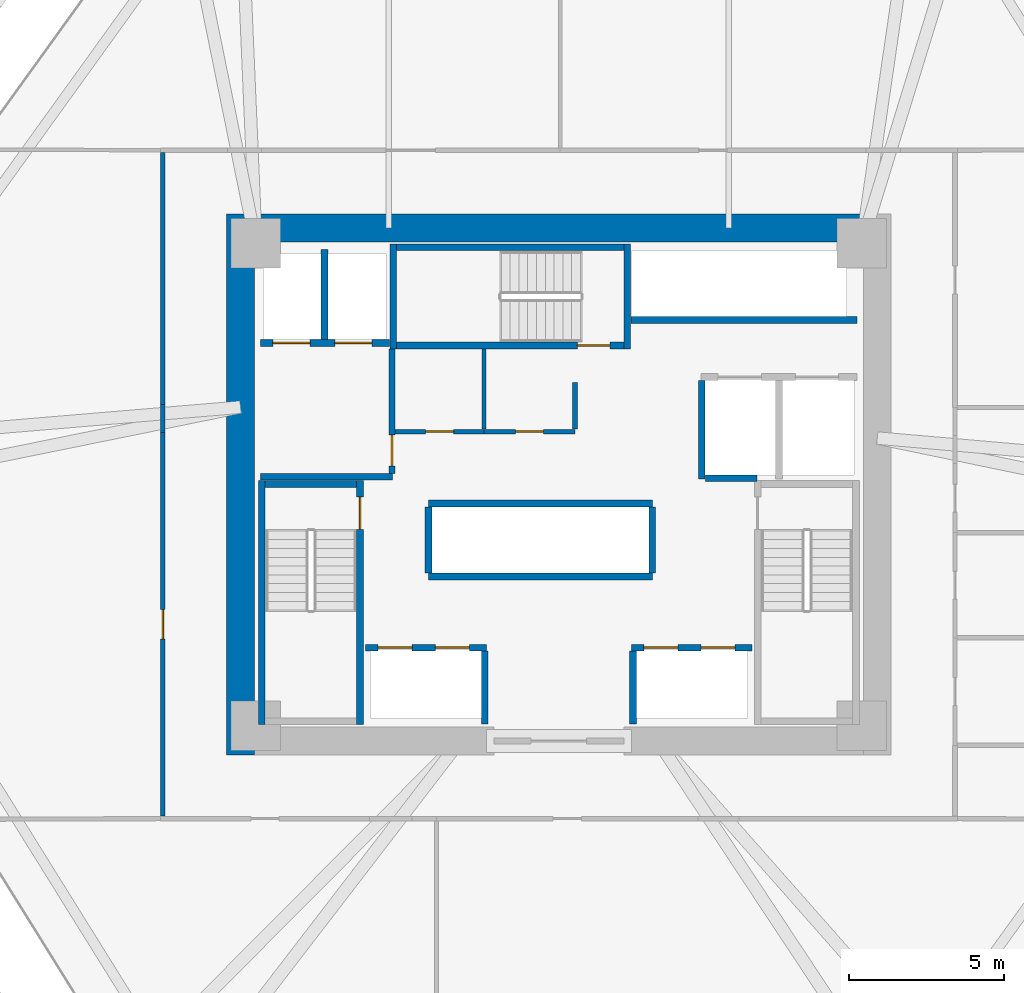
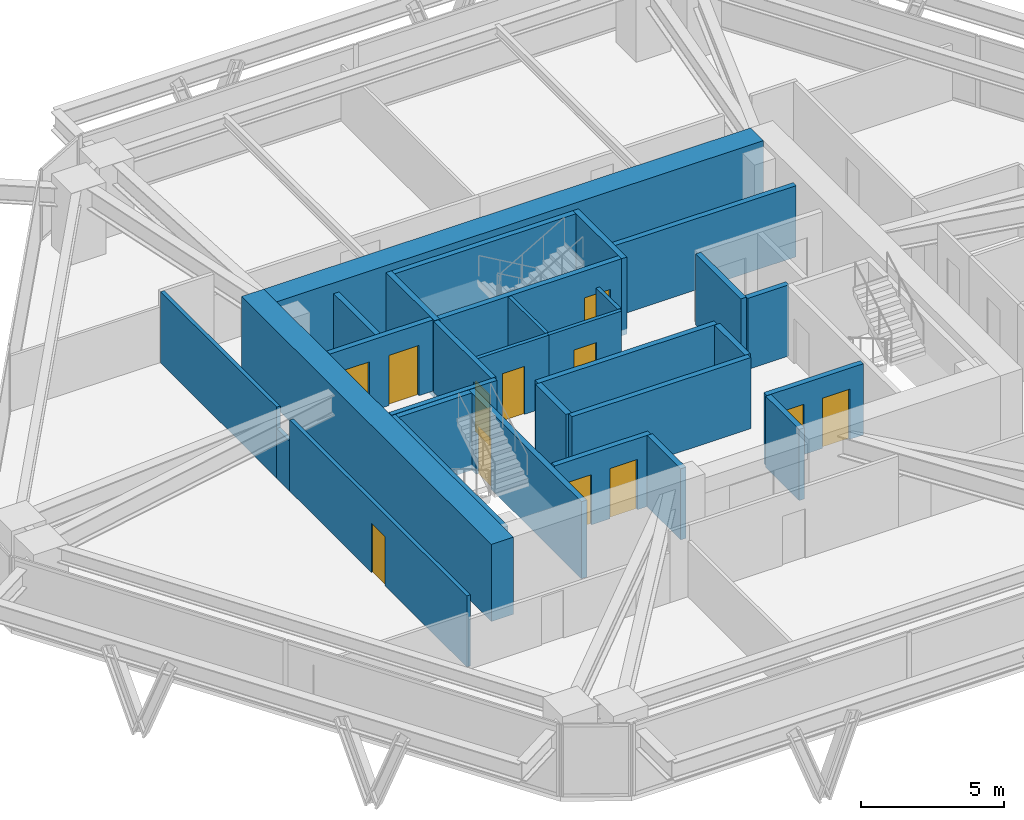
# One storey, part 11 of 14: 31 walls, 12 doors, 12 openings.
"""IFC4 building model written with IfcOpenShell, lengths in metres."""

from ifc_helpers import new_model, si_unit, direction, frame, frame_2d, origin, place, context, subcontext, project, spatial, rectangle, extrude, source, transform, mapped, material, layer, layer_set, type_object, type_shapes, element, fill, save


model = new_model("IFC4")

# Units and contexts
model_context = context("Model", 3, precision=1e-05, world=origin(), true_north=direction((0.0, 1.0)))
body_context = subcontext(model_context, "Body", "Model", "MODEL_VIEW")
ifc_project = project(units=[si_unit("LENGTHUNIT", "METRE"), si_unit("AREAUNIT", "SQUARE_METRE"), si_unit("VOLUMEUNIT", "CUBIC_METRE"), si_unit("PLANEANGLEUNIT", "RADIAN"), si_unit("MASSUNIT", "GRAM", prefix="KILO")], contexts=[model_context])

# Site, building, storey
site_placement = place(None, origin())
site = spatial("IfcSite", under=ifc_project, at=site_placement, CompositionType="ELEMENT")
building_placement = place(site_placement, origin())
building = spatial("IfcBuilding", under=site, at=building_placement, Name="Durnholm Broadcast Tower", CompositionType="ELEMENT")
storey_placement = place(building_placement, frame((0.0, 0.0, 35.699951171875)))
storey = spatial("IfcBuildingStorey", under=building, at=storey_placement, Name="L07", CompositionType="ELEMENT", Elevation=35.699951171875)

# Walls
ifc_material_1 = material(Name="Concrete C70/85", Category="concrete")
ifc_layer_1 = layer(ifc_material_1, 0.89990234375)
ifc_layer_set_1 = layer_set([ifc_layer_1], Name="Concrete C70/85")
wall_type_1 = type_object("IfcWallType", Name="WALL-CW-900", PredefinedType="SHEAR", material=ifc_layer_set_1)
wall_1_placement = place(storey_placement, frame((-10.300048828125, -8.75, 0.0), z_axis=(0.0, 0.0, 1.0), x_axis=(0.0, 1.0, 0.0)))
element("IfcWall", 1, at=wall_1_placement, inside=storey, type_object=wall_type_1, Name="L07 central core shear wall CW-WEST", PredefinedType="SHEAR", context=body_context, shape_type="SweptSolid", body=[
    extrude(rectangle(XDim=17.5, YDim=0.89990234375, at=frame_2d((8.75, 0.0))), origin(), (0.0, 0.0, 1.0), 3.300048828125),
])
wall_2_placement = place(storey_placement, frame((-9.85009765625, 8.300048828125, 0.0), z_axis=(0.0, 0.0, 1.0), x_axis=(1.0, 0.0, 0.0)))
element("IfcWall", 2, at=wall_2_placement, inside=storey, type_object=wall_type_1, Name="L07 central core shear wall CW-N", PredefinedType="SHEAR", context=body_context, shape_type="SweptSolid", body=[
    extrude(rectangle(XDim=19.7001953125, YDim=0.89990234375, at=frame_2d((9.85009765625, 0.0))), origin(), (0.0, 0.0, 1.0), 3.300048828125),
])
ifc_material_2 = material(Name="Fire-Rated Gypsum Shaftwall", Category="concrete")
ifc_layer_2 = layer(ifc_material_2, 0.199951171875)
ifc_layer_set_2 = layer_set([ifc_layer_2], Name="Fire-Rated Gypsum Shaftwall")
wall_type_2 = type_object("IfcWallType", Name="WALL-LOB-200", PredefinedType="SOLIDWALL", material=ifc_layer_set_2)
wall_3_placement = place(storey_placement, frame((-9.64990234375, 0.25, 0.0), z_axis=(0.0, 0.0, 1.0), x_axis=(1.0, 0.0, 0.0)))
element("IfcWall", 3, at=wall_3_placement, inside=storey, type_object=wall_type_2, Name="L07 Fire Service Access Elevator lobby south wall", PredefinedType="SOLIDWALL", context=body_context, shape_type="SweptSolid", body=[
    extrude(rectangle(XDim=4.27001953125, YDim=0.199951171875, at=frame_2d((2.135009765625, 0.0))), origin(), (0.0, 0.0, 1.0), 3.045166015625),
])

# Wall, opening, door
wall_4_placement = place(storey_placement, frame((-5.39990234375, 0.35400390625, 0.0), z_axis=(0.0, 0.0, 1.0), x_axis=(0.0, 1.0, 0.0)))
wall_4 = element("IfcWall", 4, at=wall_4_placement, inside=storey, type_object=wall_type_2, Name="L07 Fire Service Access Elevator lobby east fire wall", PredefinedType="SOLIDWALL", context=body_context, shape_type="SweptSolid", body=[
    extrude(rectangle(XDim=4.02587890625, YDim=0.199951171875, at=frame_2d((2.012939453125, 0.0))), origin(), (0.0, 0.0, 1.0), 3.045166015625),
])
opening_1_placement = place(wall_4_placement, frame((0.24609375, 0.0, 0.0)))
opening_1 = element("IfcOpeningElement", 5, at=opening_1_placement, cuts=wall_4, Name="Opening DL-60R", PredefinedType="OPENING", context=body_context, shape_type="SweptSolid", body=[
    extrude(rectangle(XDim=1.0, YDim=2.14990234375, at=frame_2d((0.5, 1.074951171875))), frame((0.0, 0.10986328125, 0.0), z_axis=(0.0, -1.0, 0.0), x_axis=(1.0, 0.0, 0.0)), (0.0, 0.0, 1.0), 0.219970703125),
])
ifc_material_3 = material(Name="Fire-Rated Timber/Steel Door", Category="steel")
ifc_layer_3 = layer(ifc_material_3, 0.050048828125)
ifc_layer_set_3 = layer_set([ifc_layer_3], Name="Fire-Rated Timber/Steel Door")
door_type_1 = type_object("IfcDoorType", Name="DOOR-LOB-FD60-R", OperationType="NOTDEFINED", PredefinedType="DOOR", material=ifc_layer_set_3)
shared_shape_1 = source(origin(), body_context, "Body", "SweptSolid", [
    extrude(rectangle(XDim=1.0, YDim=2.14990234375, at=frame_2d((0.5, 1.074951171875))), frame((0.0, 0.02490234375, 0.0), z_axis=(0.0, -1.0, 0.0), x_axis=(1.0, 0.0, 0.0)), (0.0, 0.0, 1.0), 0.050048828125),
])
type_shapes(door_type_1, [shared_shape_1])
door_1_placement = place(opening_1_placement, origin())
door_1 = element("IfcDoor", 6, at=door_1_placement, inside=storey, type_object=door_type_1, Name="L07 Fire Service Access Elevator lobby smoke door", OperationType="SINGLE_SWING_RIGHT", OverallHeight=2.14990234375, OverallWidth=1.0, PredefinedType="DOOR", context=body_context, shape_type="MappedRepresentation", body=[
    mapped(shared_shape_1, transform((0.0, 0.0, 0.0), x_axis=(1.0, 0.0, 0.0), y_axis=(0.0, 1.0, 0.0), z_axis=(0.0, 0.0, 1.0), scale=1.0)),
])
fill(opening_1, door_1)

# Wall
ifc_material_4 = material(Name="Gypsum Metal Stud Partition", Category="concrete")
ifc_layer_4 = layer(ifc_material_4, 0.135009765625)
ifc_layer_set_4 = layer_set([ifc_layer_4], Name="Gypsum Metal Stud Partition")
wall_type_3 = type_object("IfcWallType", Name="WALL-PART-135", PredefinedType="PARTITIONING", material=ifc_layer_set_4)
wall_5_placement = place(storey_placement, frame((-2.419921875, 4.375, 0.0), z_axis=(0.0, 0.0, 1.0), x_axis=(0.0, -1.0, 0.0)))
element("IfcWall", 7, at=wall_5_placement, inside=storey, type_object=wall_type_3, Name="L07 room dividing partition 1.2", PredefinedType="PARTITIONING", context=body_context, shape_type="SweptSolid", body=[
    extrude(rectangle(XDim=2.5859375, YDim=0.135009765625, at=frame_2d((1.29296875, 0.0))), origin(), (0.0, 0.0, 1.0), 3.045166015625),
])

# Wall, opening, door
ifc_material_5 = material(Name="Acoustic Gypsum Stud Partition", Category="concrete")
ifc_layer_5 = layer(ifc_material_5, 0.14990234375)
ifc_layer_set_5 = layer_set([ifc_layer_5], Name="Acoustic Gypsum Stud Partition")
wall_type_4 = type_object("IfcWallType", Name="WALL-PART-150", PredefinedType="PARTITIONING", material=ifc_layer_set_5)
wall_6_placement = place(storey_placement, frame((-2.419921875, 1.7099609375, 0.0), z_axis=(0.0, 0.0, 1.0), x_axis=(-1.0, 0.0, 0.0)))
wall_6 = element("IfcWall", 8, at=wall_6_placement, inside=storey, type_object=wall_type_4, Name="L07 Core Equipment Store corridor partition", PredefinedType="PARTITIONING", context=body_context, shape_type="SweptSolid", body=[
    extrude(rectangle(XDim=2.8759765625, YDim=0.14990234375, at=frame_2d((1.43798828125, 0.0))), origin(), (0.0, 0.0, 1.0), 3.045166015625),
])
opening_2_placement = place(wall_6_placement, frame((0.988037109375, 0.0, 0.0)))
opening_2 = element("IfcOpeningElement", 9, at=opening_2_placement, cuts=wall_6, Name="Opening DC-60L", PredefinedType="OPENING", context=body_context, shape_type="SweptSolid", body=[
    extrude(rectangle(XDim=0.89990234375, YDim=2.050048828125, at=frame_2d((0.449951171875, 1.02490234375))), frame((0.0, 0.0849609375, 0.0), z_axis=(0.0, -1.0, 0.0), x_axis=(1.0, 0.0, 0.0)), (0.0, 0.0, 1.0), 0.169921875),
])
ifc_material_6 = material(Name="Fire-Rated Core Service Door", Category="steel")
ifc_layer_6 = layer(ifc_material_6, 0.050048828125)
ifc_layer_set_6 = layer_set([ifc_layer_6], Name="Fire-Rated Core Service Door")
door_type_2 = type_object("IfcDoorType", Name="DOOR-CORE-FD60-L", OperationType="NOTDEFINED", PredefinedType="DOOR", material=ifc_layer_set_6)
shared_shape_2 = source(origin(), body_context, "Body", "SweptSolid", [
    extrude(rectangle(XDim=0.89990234375, YDim=2.050048828125, at=frame_2d((0.449951171875, 1.02490234375))), frame((0.0, 0.02490234375, 0.0), z_axis=(0.0, -1.0, 0.0), x_axis=(1.0, 0.0, 0.0)), (0.0, 0.0, 1.0), 0.050048828125),
])
type_shapes(door_type_2, [shared_shape_2])
door_2_placement = place(opening_2_placement, origin())
door_2 = element("IfcDoor", 10, at=door_2_placement, inside=storey, type_object=door_type_2, Name="L07 Core Equipment Store entrance door", OperationType="SINGLE_SWING_LEFT", OverallHeight=2.050048828125, OverallWidth=0.89990234375, PredefinedType="DOOR", context=body_context, shape_type="MappedRepresentation", body=[
    mapped(shared_shape_2, transform((0.0, 0.0, 0.0), x_axis=(1.0, 0.0, 0.0), y_axis=(0.0, 1.0, 0.0), z_axis=(0.0, 0.0, 1.0), scale=1.0)),
])
fill(opening_2, door_2)

wall_7_placement = place(storey_placement, frame((0.52001953125, 1.7099609375, 0.0), z_axis=(0.0, 0.0, 1.0), x_axis=(-1.0, 0.0, 0.0)))
wall_7 = element("IfcWall", 11, at=wall_7_placement, inside=storey, type_object=wall_type_4, Name="L07 Core Mail and Supply Room corridor partition", PredefinedType="PARTITIONING", context=body_context, shape_type="SweptSolid", body=[
    extrude(rectangle(XDim=2.93994140625, YDim=0.14990234375, at=frame_2d((1.469970703125, 0.0))), origin(), (0.0, 0.0, 1.0), 3.045166015625),
])
opening_3_placement = place(wall_7_placement, frame((1.02001953125, 0.0, 0.0)))
opening_3 = element("IfcOpeningElement", 12, at=opening_3_placement, cuts=wall_7, Name="Opening DC-60R", PredefinedType="OPENING", context=body_context, shape_type="SweptSolid", body=[
    extrude(rectangle(XDim=0.89990234375, YDim=2.050048828125, at=frame_2d((0.449951171875, 1.02490234375))), frame((0.0, 0.0849609375, 0.0), z_axis=(0.0, -1.0, 0.0), x_axis=(1.0, 0.0, 0.0)), (0.0, 0.0, 1.0), 0.169921875),
])
ifc_layer_7 = layer(ifc_material_6, 0.050048828125)
ifc_layer_set_7 = layer_set([ifc_layer_7], Name="Fire-Rated Core Service Door")
door_type_3 = type_object("IfcDoorType", Name="DOOR-CORE-FD60-R", OperationType="NOTDEFINED", PredefinedType="DOOR", material=ifc_layer_set_7)
shared_shape_3 = source(origin(), body_context, "Body", "SweptSolid", [
    extrude(rectangle(XDim=0.89990234375, YDim=2.050048828125, at=frame_2d((0.449951171875, 1.02490234375))), frame((0.0, 0.02490234375, 0.0), z_axis=(0.0, -1.0, 0.0), x_axis=(1.0, 0.0, 0.0)), (0.0, 0.0, 1.0), 0.050048828125),
])
type_shapes(door_type_3, [shared_shape_3])
door_3_placement = place(opening_3_placement, origin())
door_3 = element("IfcDoor", 13, at=door_3_placement, inside=storey, type_object=door_type_3, Name="L07 Core Mail and Supply Room entrance door", OperationType="SINGLE_SWING_RIGHT", OverallHeight=2.050048828125, OverallWidth=0.89990234375, PredefinedType="DOOR", context=body_context, shape_type="MappedRepresentation", body=[
    mapped(shared_shape_3, transform((0.0, 0.0, 0.0), x_axis=(1.0, 0.0, 0.0), y_axis=(0.0, 1.0, 0.0), z_axis=(0.0, 0.0, 1.0), scale=1.0)),
])
fill(opening_3, door_3)

# Walls
wall_8_placement = place(storey_placement, frame((0.52001953125, 3.300048828125, 0.0), z_axis=(0.0, 0.0, 1.0), x_axis=(0.0, -1.0, 0.0)))
element("IfcWall", 14, at=wall_8_placement, inside=storey, type_object=wall_type_4, Name="L07 Core Mail and Supply Room corridor partition", PredefinedType="PARTITIONING", context=body_context, shape_type="SweptSolid", body=[
    extrude(rectangle(XDim=1.510986328125, YDim=0.14990234375, at=frame_2d((0.75537109375, 0.0))), origin(), (0.0, 0.0, 1.0), 3.045166015625),
])
wall_9_placement = place(storey_placement, frame((-12.81005859375, 10.73095703125, 0.0), z_axis=(0.0, 0.0, 1.0), x_axis=(0.0, -1.0, 0.0)))
element("IfcWall", 15, at=wall_9_placement, inside=storey, type_object=wall_type_4, Name="L07 Broadcast Kitchen corridor partition", PredefinedType="PARTITIONING", context=body_context, shape_type="SweptSolid", body=[
    extrude(rectangle(XDim=8.138671875, YDim=0.14990234375, at=frame_2d((4.0693359375, 0.0))), origin(), (0.0, 0.0, 1.0), 3.045166015625),
])

# Wall, opening, door
wall_10_placement = place(storey_placement, frame((-12.81005859375, 1.682373046875, 0.0), z_axis=(0.0, 0.0, 1.0), x_axis=(0.0, -1.0, 0.0)))
wall_10 = element("IfcWall", 16, at=wall_10_placement, inside=storey, type_object=wall_type_4, Name="L07 Broadcast Kitchen corridor partition", PredefinedType="PARTITIONING", context=body_context, shape_type="SweptSolid", body=[
    extrude(rectangle(XDim=12.413330078125, YDim=0.14990234375, at=frame_2d((6.20654296875, 0.0))), origin(), (0.0, 0.0, 1.0), 3.045166015625),
])
opening_4_placement = place(wall_10_placement, frame((5.731689453125, 0.0, 0.0)))
opening_4 = element("IfcOpeningElement", 17, at=opening_4_placement, cuts=wall_10, Name="Opening DR-95L", PredefinedType="OPENING", context=body_context, shape_type="SweptSolid", body=[
    extrude(rectangle(XDim=0.949951171875, YDim=2.10009765625, at=frame_2d((0.47509765625, 1.050048828125))), frame((0.0, 0.0849609375, 0.0), z_axis=(0.0, -1.0, 0.0), x_axis=(1.0, 0.0, 0.0)), (0.0, 0.0, 1.0), 0.169921875),
])
ifc_material_7 = material(Name="Acoustic Oak Veneer Timber Door", Category="wood")
ifc_layer_8 = layer(ifc_material_7, 0.050048828125)
ifc_layer_set_8 = layer_set([ifc_layer_8], Name="Acoustic Oak Veneer Timber Door")
door_type_4 = type_object("IfcDoorType", Name="DOOR-RM-950L", OperationType="NOTDEFINED", PredefinedType="DOOR", material=ifc_layer_set_8)
shared_shape_4 = source(origin(), body_context, "Body", "SweptSolid", [
    extrude(rectangle(XDim=0.949951171875, YDim=2.10009765625, at=frame_2d((0.47509765625, 1.050048828125))), frame((0.0, 0.02490234375, 0.0), z_axis=(0.0, -1.0, 0.0), x_axis=(1.0, 0.0, 0.0)), (0.0, 0.0, 1.0), 0.050048828125),
])
type_shapes(door_type_4, [shared_shape_4])
door_4_placement = place(opening_4_placement, origin())
door_4 = element("IfcDoor", 18, at=door_4_placement, inside=storey, type_object=door_type_4, Name="L07 Broadcast Kitchen entrance door", OperationType="SINGLE_SWING_LEFT", OverallHeight=2.10009765625, OverallWidth=0.949951171875, PredefinedType="DOOR", context=body_context, shape_type="MappedRepresentation", body=[
    mapped(shared_shape_4, transform((0.0, 0.0, 0.0), x_axis=(1.0, 0.0, 0.0), y_axis=(0.0, 1.0, 0.0), z_axis=(0.0, 0.0, 1.0), scale=1.0)),
])
fill(opening_4, door_4)

# Wall
wall_11_placement = place(storey_placement, frame((-12.81005859375, 2.59228515625, 0.0), z_axis=(0.0, 0.0, 1.0), x_axis=(0.0, -1.0, 0.0)))
element("IfcWall", 19, at=wall_11_placement, inside=storey, type_object=wall_type_4, Name="L07 Broadcast Kitchen corridor partition", PredefinedType="PARTITIONING", context=body_context, shape_type="SweptSolid", body=[
    extrude(rectangle(XDim=0.909912109375, YDim=0.14990234375, at=frame_2d((0.455078125, 0.0))), origin(), (0.0, 0.0, 1.0), 2.130126953125),
])

# Wall, openings, doors
ifc_material_8 = material(Name="Concrete Blockwork C30/37", Category="masonry")
ifc_layer_9 = layer(ifc_material_8, 0.219970703125)
ifc_layer_set_9 = layer_set([ifc_layer_9], Name="Concrete Blockwork C30/37")
wall_type_5 = type_object("IfcWallType", Name="WALL-SHAFT-220", PredefinedType="SOLIDWALL", material=ifc_layer_set_9)
wall_12_placement = place(storey_placement, frame((-9.64990234375, 4.580078125, 0.0), z_axis=(0.0, 0.0, 1.0), x_axis=(1.0, 0.0, 0.0)))
wall_12 = element("IfcWall", 20, at=wall_12_placement, inside=storey, type_object=wall_type_5, Name="L07 FSAE hoistway front fire wall", PredefinedType="SOLIDWALL", context=body_context, shape_type="SweptSolid", body=[
    extrude(rectangle(XDim=4.1748046875, YDim=0.219970703125, at=frame_2d((2.08740234375, 0.0))), origin(), (0.0, 0.0, 1.0), 3.045166015625),
])
opening_5_placement = place(wall_12_placement, frame((0.39990234375, 0.0, 0.0)))
opening_5 = element("IfcOpeningElement", 21, at=opening_5_placement, cuts=wall_12, Name="Opening LD-FSAE-2", PredefinedType="OPENING", context=body_context, shape_type="SweptSolid", body=[
    extrude(rectangle(XDim=1.199951171875, YDim=2.14990234375, at=frame_2d((0.60009765625, 1.074951171875))), frame((0.0, 0.1201171875, 0.0), z_axis=(0.0, -1.0, 0.0), x_axis=(1.0, 0.0, 0.0)), (0.0, 0.0, 1.0), 0.239990234375),
])
opening_6_placement = place(wall_12_placement, frame((2.39990234375, 0.0, 0.0)))
opening_6 = element("IfcOpeningElement", 22, at=opening_6_placement, cuts=wall_12, Name="Opening LD-FSAE-1", PredefinedType="OPENING", context=body_context, shape_type="SweptSolid", body=[
    extrude(rectangle(XDim=1.199951171875, YDim=2.14990234375, at=frame_2d((0.60009765625, 1.074951171875))), frame((0.0, 0.1201171875, 0.0), z_axis=(0.0, -1.0, 0.0), x_axis=(1.0, 0.0, 0.0)), (0.0, 0.0, 1.0), 0.239990234375),
])
ifc_material_9 = material(Name="Fire Service Access Sliding Landing Door", Category="steel")
ifc_layer_10 = layer(ifc_material_9, 0.050048828125)
ifc_layer_set_10 = layer_set([ifc_layer_10], Name="Fire Service Access Sliding Landing Door")
door_type_5 = type_object("IfcDoorType", Name="DOOR-LIFT-FSAE", OperationType="DOUBLE_DOOR_SLIDING", PredefinedType="DOOR", material=ifc_layer_set_10)
shared_shape_5 = source(origin(), body_context, "Body", "SweptSolid", [
    extrude(rectangle(XDim=1.199951171875, YDim=2.14990234375, at=frame_2d((0.60009765625, 1.074951171875))), frame((0.0, 0.02490234375, 0.0), z_axis=(0.0, -1.0, 0.0), x_axis=(1.0, 0.0, 0.0)), (0.0, 0.0, 1.0), 0.050048828125),
])
type_shapes(door_type_5, [shared_shape_5])
door_5_placement = place(opening_5_placement, origin())
door_5 = element("IfcDoor", 23, at=door_5_placement, inside=storey, type_object=door_type_5, Name="L07 Fire Service Access Elevator FSAE-2 sliding landing door", OperationType="DOUBLE_DOOR_SLIDING", OverallHeight=2.14990234375, OverallWidth=1.199951171875, PredefinedType="DOOR", context=body_context, shape_type="MappedRepresentation", body=[
    mapped(shared_shape_5, transform((0.0, 0.0, 0.0), x_axis=(1.0, 0.0, 0.0), y_axis=(0.0, 1.0, 0.0), z_axis=(0.0, 0.0, 1.0), scale=1.0)),
])
fill(opening_5, door_5)
door_6_placement = place(opening_6_placement, origin())
door_6 = element("IfcDoor", 24, at=door_6_placement, inside=storey, type_object=door_type_5, Name="L07 Fire Service Access Elevator FSAE-1 sliding landing door", OperationType="DOUBLE_DOOR_SLIDING", OverallHeight=2.14990234375, OverallWidth=1.199951171875, PredefinedType="DOOR", context=body_context, shape_type="MappedRepresentation", body=[
    mapped(shared_shape_5, transform((0.0, 0.0, 0.0), x_axis=(1.0, 0.0, 0.0), y_axis=(0.0, 1.0, 0.0), z_axis=(0.0, 0.0, 1.0), scale=1.0)),
])
fill(opening_6, door_6)

# Walls
wall_13_placement = place(storey_placement, frame((-7.580078125, 4.694091796875, 0.0), z_axis=(0.0, 0.0, 1.0), x_axis=(0.0, 1.0, 0.0)))
element("IfcWall", 25, at=wall_13_placement, inside=storey, type_object=wall_type_5, Name="L07 FSAE shaft divider wall", PredefinedType="SOLIDWALL", context=body_context, shape_type="SweptSolid", body=[
    extrude(rectangle(XDim=2.906005859375, YDim=0.219970703125, at=frame_2d((1.453125, 0.0))), origin(), (0.0, 0.0, 1.0), 3.045166015625),
])
wall_14_placement = place(storey_placement, frame((4.6201171875, 0.179931640625, 0.0), z_axis=(0.0, 0.0, 1.0), x_axis=(0.0, 1.0, 0.0)))
element("IfcWall", 26, at=wall_14_placement, inside=storey, type_object=wall_type_5, Name="L07 freight service lift SVL-2 west wall", PredefinedType="SOLIDWALL", context=body_context, shape_type="SweptSolid", body=[
    extrude(rectangle(XDim=3.18603515625, YDim=0.219970703125, at=frame_2d((1.593017578125, 0.0))), origin(), (0.0, 0.0, 1.0), 3.045166015625),
])
wall_15_placement = place(storey_placement, frame((4.73388671875, 0.199951171875, 0.0), z_axis=(0.0, 0.0, 1.0), x_axis=(1.0, 0.0, 0.0)))
element("IfcWall", 27, at=wall_15_placement, inside=storey, type_object=wall_type_5, Name="L07 freight service lift SVL-2 south wall", PredefinedType="SOLIDWALL", context=body_context, shape_type="SweptSolid", body=[
    extrude(rectangle(XDim=1.666015625, YDim=0.219970703125, at=frame_2d((0.8330078125, 0.0))), origin(), (0.0, 0.0, 1.0), 3.045166015625),
])

# Wall, openings, doors
wall_16_placement = place(storey_placement, frame((-6.25, -5.280029296875, 0.0), z_axis=(0.0, 0.0, 1.0), x_axis=(1.0, 0.0, 0.0)))
wall_16 = element("IfcWall", 28, at=wall_16_placement, inside=storey, type_object=wall_type_5, Name="L07 low-rise bank P1 west front wall", PredefinedType="SOLIDWALL", context=body_context, shape_type="SweptSolid", body=[
    extrude(rectangle(XDim=3.89990234375, YDim=0.219970703125, at=frame_2d((1.949951171875, 0.0))), origin(), (0.0, 0.0, 1.0), 3.045166015625),
])
opening_7_placement = place(wall_16_placement, frame((0.39990234375, 0.0, 0.0)))
opening_7 = element("IfcOpeningElement", 29, at=opening_7_placement, cuts=wall_16, Name="Opening LD-LP1-1", PredefinedType="OPENING", context=body_context, shape_type="SweptSolid", body=[
    extrude(rectangle(XDim=1.10009765625, YDim=2.14990234375, at=frame_2d((0.550048828125, 1.074951171875))), frame((0.0, 0.1201171875, 0.0), z_axis=(0.0, -1.0, 0.0), x_axis=(1.0, 0.0, 0.0)), (0.0, 0.0, 1.0), 0.239990234375),
])
opening_8_placement = place(wall_16_placement, frame((2.25, 0.0, 0.0)))
opening_8 = element("IfcOpeningElement", 30, at=opening_8_placement, cuts=wall_16, Name="Opening LD-LP1-2", PredefinedType="OPENING", context=body_context, shape_type="SweptSolid", body=[
    extrude(rectangle(XDim=1.10009765625, YDim=2.14990234375, at=frame_2d((0.550048828125, 1.074951171875))), frame((0.0, 0.1201171875, 0.0), z_axis=(0.0, -1.0, 0.0), x_axis=(1.0, 0.0, 0.0)), (0.0, 0.0, 1.0), 0.239990234375),
])
ifc_material_10 = material(Name="Stainless Steel Sliding Elevator Landing Door", Category="steel")
ifc_layer_11 = layer(ifc_material_10, 0.050048828125)
ifc_layer_set_11 = layer_set([ifc_layer_11], Name="Stainless Steel Sliding Elevator Landing Door")
door_type_6 = type_object("IfcDoorType", Name="DOOR-LIFT-PAX", OperationType="DOUBLE_DOOR_SLIDING", PredefinedType="DOOR", material=ifc_layer_set_11)
shared_shape_6 = source(origin(), body_context, "Body", "SweptSolid", [
    extrude(rectangle(XDim=1.10009765625, YDim=2.14990234375, at=frame_2d((0.550048828125, 1.074951171875))), frame((0.0, 0.02490234375, 0.0), z_axis=(0.0, -1.0, 0.0), x_axis=(1.0, 0.0, 0.0)), (0.0, 0.0, 1.0), 0.050048828125),
])
type_shapes(door_type_6, [shared_shape_6])
door_7_placement = place(opening_7_placement, origin())
door_7 = element("IfcDoor", 31, at=door_7_placement, inside=storey, type_object=door_type_6, Name="L07 passenger elevator LP1-1 sliding landing door", OperationType="DOUBLE_DOOR_SLIDING", OverallHeight=2.14990234375, OverallWidth=1.10009765625, PredefinedType="DOOR", context=body_context, shape_type="MappedRepresentation", body=[
    mapped(shared_shape_6, transform((0.0, 0.0, 0.0), x_axis=(1.0, 0.0, 0.0), y_axis=(0.0, 1.0, 0.0), z_axis=(0.0, 0.0, 1.0), scale=1.0)),
])
fill(opening_7, door_7)
door_8_placement = place(opening_8_placement, origin())
door_8 = element("IfcDoor", 32, at=door_8_placement, inside=storey, type_object=door_type_6, Name="L07 passenger elevator LP1-2 sliding landing door", OperationType="DOUBLE_DOOR_SLIDING", OverallHeight=2.14990234375, OverallWidth=1.10009765625, PredefinedType="DOOR", context=body_context, shape_type="MappedRepresentation", body=[
    mapped(shared_shape_6, transform((0.0, 0.0, 0.0), x_axis=(1.0, 0.0, 0.0), y_axis=(0.0, 1.0, 0.0), z_axis=(0.0, 0.0, 1.0), scale=1.0)),
])
fill(opening_8, door_8)

wall_17_placement = place(storey_placement, frame((2.35009765625, -5.280029296875, 0.0), z_axis=(0.0, 0.0, 1.0), x_axis=(1.0, 0.0, 0.0)))
wall_17 = element("IfcWall", 33, at=wall_17_placement, inside=storey, type_object=wall_type_5, Name="L07 low-rise bank P1 east front wall", PredefinedType="SOLIDWALL", context=body_context, shape_type="SweptSolid", body=[
    extrude(rectangle(XDim=3.89990234375, YDim=0.219970703125, at=frame_2d((1.949951171875, 0.0))), origin(), (0.0, 0.0, 1.0), 3.045166015625),
])
opening_9_placement = place(wall_17_placement, frame((0.39990234375, 0.0, 0.0)))
opening_9 = element("IfcOpeningElement", 34, at=opening_9_placement, cuts=wall_17, Name="Opening LD-LP1-3", PredefinedType="OPENING", context=body_context, shape_type="SweptSolid", body=[
    extrude(rectangle(XDim=1.10009765625, YDim=2.14990234375, at=frame_2d((0.550048828125, 1.074951171875))), frame((0.0, 0.1201171875, 0.0), z_axis=(0.0, -1.0, 0.0), x_axis=(1.0, 0.0, 0.0)), (0.0, 0.0, 1.0), 0.239990234375),
])
opening_10_placement = place(wall_17_placement, frame((2.25, 0.0, 0.0)))
opening_10 = element("IfcOpeningElement", 35, at=opening_10_placement, cuts=wall_17, Name="Opening LD-LP1-4", PredefinedType="OPENING", context=body_context, shape_type="SweptSolid", body=[
    extrude(rectangle(XDim=1.10009765625, YDim=2.14990234375, at=frame_2d((0.550048828125, 1.074951171875))), frame((0.0, 0.1201171875, 0.0), z_axis=(0.0, -1.0, 0.0), x_axis=(1.0, 0.0, 0.0)), (0.0, 0.0, 1.0), 0.239990234375),
])
door_9_placement = place(opening_9_placement, origin())
door_9 = element("IfcDoor", 36, at=door_9_placement, inside=storey, type_object=door_type_6, Name="L07 passenger elevator LP1-3 sliding landing door", OperationType="DOUBLE_DOOR_SLIDING", OverallHeight=2.14990234375, OverallWidth=1.10009765625, PredefinedType="DOOR", context=body_context, shape_type="MappedRepresentation", body=[
    mapped(shared_shape_6, transform((0.0, 0.0, 0.0), x_axis=(1.0, 0.0, 0.0), y_axis=(0.0, 1.0, 0.0), z_axis=(0.0, 0.0, 1.0), scale=1.0)),
])
fill(opening_9, door_9)
door_10_placement = place(opening_10_placement, origin())
door_10 = element("IfcDoor", 37, at=door_10_placement, inside=storey, type_object=door_type_6, Name="L07 passenger elevator LP1-4 sliding landing door", OperationType="DOUBLE_DOOR_SLIDING", OverallHeight=2.14990234375, OverallWidth=1.10009765625, PredefinedType="DOOR", context=body_context, shape_type="MappedRepresentation", body=[
    mapped(shared_shape_6, transform((0.0, 0.0, 0.0), x_axis=(1.0, 0.0, 0.0), y_axis=(0.0, 1.0, 0.0), z_axis=(0.0, 0.0, 1.0), scale=1.0)),
])
fill(opening_10, door_10)

# Walls
for number, where, z_axis, x_axis, name in (
    (38, (-2.39990234375, -7.75, 0.0), (0.0, 0.0, 1.0), (0.0, 1.0, 0.0), "L07 low-rise bank P1 west mouth wall"),
    (39, (2.39990234375, -7.75, 0.0), (0.0, 0.0, 1.0), (0.0, 1.0, 0.0), "L07 low-rise bank P1 east mouth wall"),
):
    element("IfcWall", number, at=place(storey_placement, frame(where, z_axis=z_axis, x_axis=x_axis)), inside=storey, type_object=wall_type_5, Name=name, PredefinedType="SOLIDWALL", context=body_context, shape_type="SweptSolid", body=[
        extrude(rectangle(XDim=2.35595703125, YDim=0.219970703125, at=frame_2d((1.177978515625, 0.0))), origin(), (0.0, 0.0, 1.0), 3.045166015625),
    ])
for number, where, z_axis, x_axis, name in (
    (40, (-4.219970703125, -2.97998046875, 0.0), (0.0, 0.0, 1.0), (1.0, 0.0, 0.0), "L07 mid-rise bank P2 south front wall"),
    (41, (-4.219970703125, -0.6201171875, 0.0), (0.0, 0.0, 1.0), (1.0, 0.0, 0.0), "L07 mid-rise bank P2 north shaft wall"),
):
    element("IfcWall", number, at=place(storey_placement, frame(where, z_axis=z_axis, x_axis=x_axis)), inside=storey, type_object=wall_type_5, Name=name, PredefinedType="SOLIDWALL", context=body_context, shape_type="SweptSolid", body=[
        extrude(rectangle(XDim=7.239990234375, YDim=0.219970703125, at=frame_2d((3.6201171875, 0.0))), origin(), (0.0, 0.0, 1.0), 3.045166015625),
    ])
for number, where, z_axis, x_axis, name in (
    (42, (-4.219970703125, -2.865966796875, 0.0), (0.0, 0.0, 1.0), (0.0, 1.0, 0.0), "L07 mid-rise bank P2 west shaft wall"),
    (43, (3.02001953125, -2.865966796875, 0.0), (0.0, 0.0, 1.0), (0.0, 1.0, 0.0), "L07 mid-rise bank P2 east shaft wall"),
):
    element("IfcWall", number, at=place(storey_placement, frame(where, z_axis=z_axis, x_axis=x_axis)), inside=storey, type_object=wall_type_5, Name=name, PredefinedType="SOLIDWALL", context=body_context, shape_type="SweptSolid", body=[
        extrude(rectangle(XDim=2.132080078125, YDim=0.219970703125, at=frame_2d((1.06591796875, 0.0))), origin(), (0.0, 0.0, 1.0), 3.045166015625),
    ])
wall_18_placement = place(storey_placement, frame((2.324951171875, 5.320068359375, 0.0), z_axis=(0.0, 0.0, 1.0), x_axis=(1.0, 0.0, 0.0)))
element("IfcWall", 44, at=wall_18_placement, inside=storey, type_object=wall_type_5, Name="L07 high-rise bank P3 south front wall", PredefinedType="SOLIDWALL", context=body_context, shape_type="SweptSolid", body=[
    extrude(rectangle(XDim=7.324951171875, YDim=0.219970703125, at=frame_2d((3.66259765625, 0.0))), origin(), (0.0, 0.0, 1.0), 3.045166015625),
])

# Wall, opening, door
ifc_material_11 = material(Name="Concrete C50/60", Category="concrete")
ifc_layer_12 = layer(ifc_material_11, 0.219970703125)
ifc_layer_set_12 = layer_set([ifc_layer_12], Name="Concrete C50/60")
wall_type_6 = type_object("IfcWallType", Name="WALL-SW-220", PredefinedType="SHEAR", material=ifc_layer_set_12)
wall_19_placement = place(storey_placement, frame((-6.429931640625, -7.77001953125, -0.239990234375), z_axis=(0.0, 0.0, 1.0), x_axis=(0.0, 1.0, 0.0)))
wall_19 = element("IfcWall", 45, at=wall_19_placement, inside=storey, type_object=wall_type_6, Name="L07 stair ST-1 structural shaft wall E", PredefinedType="SHEAR", context=body_context, shape_type="SweptSolid", body=[
    extrude(rectangle(XDim=7.89013671875, YDim=0.219970703125, at=frame_2d((3.945068359375, 0.0))), origin(), (0.0, 0.0, 1.0), 3.300048828125),
])
opening_11_placement = place(wall_19_placement, frame((6.320068359375, 0.0, 0.0)))
opening_11 = element("IfcOpeningElement", 46, at=opening_11_placement, cuts=wall_19, Name="Opening DS-90L", PredefinedType="OPENING", context=body_context, shape_type="SweptSolid", body=[
    extrude(rectangle(XDim=1.050048828125, YDim=2.14990234375, at=frame_2d((0.52490234375, 1.074951171875))), frame((0.0, 0.1201171875, 0.0), z_axis=(0.0, -1.0, 0.0), x_axis=(1.0, 0.0, 0.0)), (0.0, 0.0, 1.0), 0.239990234375),
])
ifc_material_12 = material(Name="Fire-Rated Steel Door", Category="steel")
ifc_layer_13 = layer(ifc_material_12, 0.050048828125)
ifc_layer_set_13 = layer_set([ifc_layer_13], Name="Fire-Rated Steel Door")
door_type_7 = type_object("IfcDoorType", Name="DOOR-ST-FD90-L", OperationType="NOTDEFINED", PredefinedType="DOOR", material=ifc_layer_set_13)
shared_shape_7 = source(origin(), body_context, "Body", "SweptSolid", [
    extrude(rectangle(XDim=1.050048828125, YDim=2.14990234375, at=frame_2d((0.52490234375, 1.074951171875))), frame((0.0, 0.02490234375, 0.0), z_axis=(0.0, -1.0, 0.0), x_axis=(1.0, 0.0, 0.0)), (0.0, 0.0, 1.0), 0.050048828125),
])
type_shapes(door_type_7, [shared_shape_7])
door_11_placement = place(opening_11_placement, origin())
door_11 = element("IfcDoor", 47, at=door_11_placement, inside=storey, type_object=door_type_7, Name="L07 exit stair ST-1 fire door", OperationType="SINGLE_SWING_LEFT", OverallHeight=2.14990234375, OverallWidth=1.050048828125, PredefinedType="DOOR", context=body_context, shape_type="MappedRepresentation", body=[
    mapped(shared_shape_7, transform((0.0, 0.0, 0.0), x_axis=(1.0, 0.0, 0.0), y_axis=(0.0, 1.0, 0.0), z_axis=(0.0, 0.0, 1.0), scale=1.0)),
])
fill(opening_11, door_11)

# Walls
wall_20_placement = place(storey_placement, frame((-9.610107421875, 0.1201171875, -0.239990234375), z_axis=(0.0, 0.0, 1.0), x_axis=(0.0, -1.0, 0.0)))
element("IfcWall", 48, at=wall_20_placement, inside=storey, type_object=wall_type_6, Name="L07 stair ST-1 structural shaft wall W", PredefinedType="SHEAR", context=body_context, shape_type="SweptSolid", body=[
    extrude(rectangle(XDim=7.89013671875, YDim=0.219970703125, at=frame_2d((3.945068359375, 0.0))), origin(), (0.0, 0.0, 1.0), 3.300048828125),
])
wall_21_placement = place(storey_placement, frame((-6.5400390625, 0.010009765625, -0.239990234375), z_axis=(0.0, 0.0, 1.0), x_axis=(-1.0, 0.0, 0.0)))
element("IfcWall", 49, at=wall_21_placement, inside=storey, type_object=wall_type_6, Name="L07 stair ST-1 structural shaft wall N", PredefinedType="SHEAR", context=body_context, shape_type="SweptSolid", body=[
    extrude(rectangle(XDim=2.9599609375, YDim=0.219970703125, at=frame_2d((1.47998046875, 0.0))), origin(), (0.0, 0.0, 1.0), 3.300048828125),
])
for number, where, z_axis, x_axis, name in (
    (50, (2.2099609375, 4.3798828125, -0.239990234375), (0.0, 0.0, 1.0), (0.0, 1.0, 0.0), "L07 stair ST-3 structural shaft wall E"),
    (51, (-5.360107421875, 7.780029296875, -0.239990234375), (0.0, 0.0, 1.0), (0.0, -1.0, 0.0), "L07 stair ST-3 structural shaft wall W"),
):
    element("IfcWall", number, at=place(storey_placement, frame(where, z_axis=z_axis, x_axis=x_axis)), inside=storey, type_object=wall_type_6, Name=name, PredefinedType="SHEAR", context=body_context, shape_type="SweptSolid", body=[
        extrude(rectangle(XDim=3.400146484375, YDim=0.219970703125, at=frame_2d((1.7001953125, 0.0))), origin(), (0.0, 0.0, 1.0), 3.300048828125),
    ])

# Wall, opening, door
wall_22_placement = place(storey_placement, frame((-5.25, 4.489990234375, -0.239990234375), z_axis=(0.0, 0.0, 1.0), x_axis=(1.0, 0.0, 0.0)))
wall_22 = element("IfcWall", 52, at=wall_22_placement, inside=storey, type_object=wall_type_6, Name="L07 stair ST-3 structural shaft wall S", PredefinedType="SHEAR", context=body_context, shape_type="SweptSolid", body=[
    extrude(rectangle(XDim=7.35009765625, YDim=0.219970703125, at=frame_2d((3.675048828125, 0.0))), origin(), (0.0, 0.0, 1.0), 3.300048828125),
])
opening_12_placement = place(wall_22_placement, frame((5.85009765625, 0.0, 0.0)))
opening_12 = element("IfcOpeningElement", 53, at=opening_12_placement, cuts=wall_22, Name="Opening DS-90L", PredefinedType="OPENING", context=body_context, shape_type="SweptSolid", body=[
    extrude(rectangle(XDim=1.050048828125, YDim=2.14990234375, at=frame_2d((0.52490234375, 1.074951171875))), frame((0.0, 0.1201171875, 0.0), z_axis=(0.0, -1.0, 0.0), x_axis=(1.0, 0.0, 0.0)), (0.0, 0.0, 1.0), 0.239990234375),
])
door_12_placement = place(opening_12_placement, origin())
door_12 = element("IfcDoor", 54, at=door_12_placement, inside=storey, type_object=door_type_7, Name="L07 exit stair ST-3 fire door", OperationType="SINGLE_SWING_LEFT", OverallHeight=2.14990234375, OverallWidth=1.050048828125, PredefinedType="DOOR", context=body_context, shape_type="MappedRepresentation", body=[
    mapped(shared_shape_7, transform((0.0, 0.0, 0.0), x_axis=(1.0, 0.0, 0.0), y_axis=(0.0, 1.0, 0.0), z_axis=(0.0, 0.0, 1.0), scale=1.0)),
])
fill(opening_12, door_12)

# Wall
wall_23_placement = place(storey_placement, frame((2.10009765625, 7.669921875, -0.239990234375), z_axis=(0.0, 0.0, 1.0), x_axis=(-1.0, 0.0, 0.0)))
element("IfcWall", 55, at=wall_23_placement, inside=storey, type_object=wall_type_6, Name="L07 stair ST-3 structural shaft wall N", PredefinedType="SHEAR", context=body_context, shape_type="SweptSolid", body=[
    extrude(rectangle(XDim=7.35009765625, YDim=0.219970703125, at=frame_2d((3.675048828125, 0.0))), origin(), (0.0, 0.0, 1.0), 3.300048828125),
])

save(model, "model.ifc")
